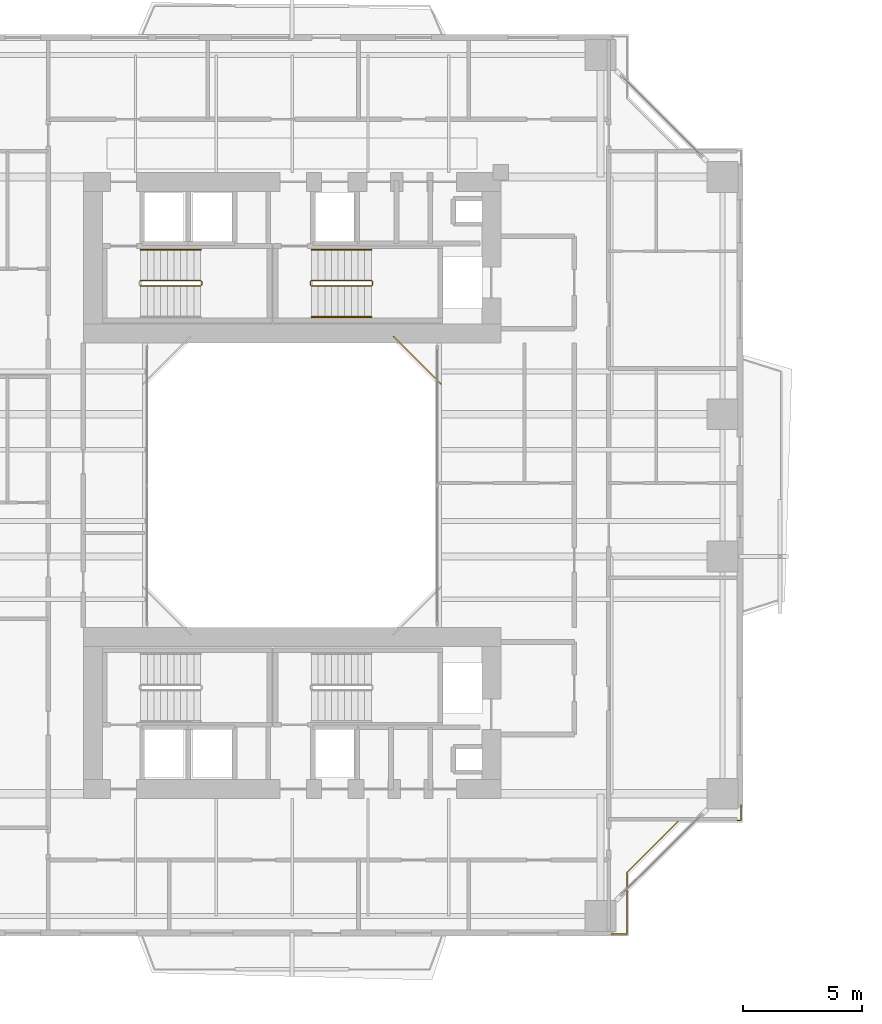
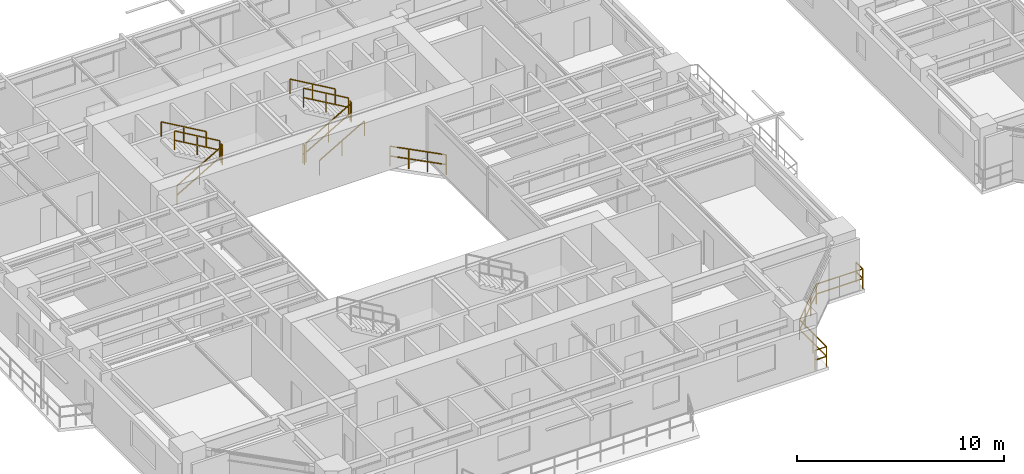
# One storey, part 21 of 24: 12 railings.
"""IFC4 building model written with IfcOpenShell, lengths in metres."""

import ifcopenshell
import ifcopenshell.guid

model = None  # the IFC model being written
_history = None  # IfcOwnerHistory: only IFC2X3 demands one
_inside = {}  # id of a spatial element -> (the spatial element, [elements in it])
_under = {}  # id of a project, library or spatial element -> (it, [spatial elements below it])
_declared = {}  # id of a project -> (the project, [libraries it declares])
_typed = {}  # id of a type object -> (the type object, [elements of that type])
_made_of = {}  # id of a material, layer set ... -> (it, [elements and type objects made of it])


def new_model(schema):
    """Start an empty IFC model of exactly this schema.

    Asked for "IFC4X3", IfcOpenShell would pick the latest addendum, in which some entities
    have other attributes; the version numbers below select the first issue.
    IFC2X3 requires an IfcOwnerHistory on every rooted entity: one is made here for all.
    """
    global model, _history
    if schema == "IFC4X3":
        model = ifcopenshell.file(schema_version=(4, 3, 0, 0))
    else:
        model = ifcopenshell.file(schema=schema)
    _inside.clear()
    _under.clear()
    _declared.clear()
    _typed.clear()
    _made_of.clear()
    _history = None
    if model.schema == "IFC2X3":
        org = make("IfcOrganization", Name="unknown")
        user = make(
            "IfcPersonAndOrganization",
            ThePerson=make("IfcPerson", FamilyName="unknown"),
            TheOrganization=org,
        )
        app = make(
            "IfcApplication",
            ApplicationDeveloper=org,
            Version="unknown",
            ApplicationFullName="unknown",
            ApplicationIdentifier="unknown",
        )
        _history = make(
            "IfcOwnerHistory",
            OwningUser=user,
            OwningApplication=app,
            ChangeAction="ADDED",
            CreationDate=0,
        )
    return model


def make(cls, **values):
    """One entity of the class cls with the attributes given. An attribute that is None is left unset."""
    return model.create_entity(
        cls, **{name: value for name, value in values.items() if value is not None}
    )


def rooted(cls, **values):
    """An entity with a GlobalId (a new one), such as an element, a storey or a relation."""
    return make(cls, GlobalId=ifcopenshell.guid.new(), OwnerHistory=_history, **values)


def si_unit(unit_type, name, prefix=None):
    """IfcSIUnit, for example si_unit("LENGTHUNIT", "METRE", prefix="MILLI")."""
    return make("IfcSIUnit", UnitType=unit_type, Prefix=prefix, Name=name)


def assignment(units):
    """IfcUnitAssignment: the units of a project."""
    return None if units is None else make("IfcUnitAssignment", Units=units)


def point(xyz):
    """IfcCartesianPoint."""
    return None if xyz is None else make("IfcCartesianPoint", Coordinates=xyz)


def direction(xyz):
    """IfcDirection."""
    return None if xyz is None else make("IfcDirection", DirectionRatios=xyz)


def frame(location, z_axis=None, x_axis=None):
    """IfcAxis2Placement3D, a coordinate frame: its origin and axes. An axis left out is left unset."""
    return make(
        "IfcAxis2Placement3D",
        Location=point(location),
        Axis=direction(z_axis),
        RefDirection=direction(x_axis),
    )


def frame_2d(location, x_axis=None):
    """IfcAxis2Placement2D, a coordinate frame in the plane: its origin and x axis."""
    return make(
        "IfcAxis2Placement2D", Location=point(location), RefDirection=direction(x_axis)
    )


def origin():
    """The frame at (0, 0, 0) with its axes left unset."""
    return frame((0.0, 0.0, 0.0))


def origin_2d():
    """The frame at (0, 0) in the plane with its x axis left unset."""
    return frame_2d((0.0, 0.0))


def place(relative_to, where):
    """IfcLocalPlacement: puts the frame where relative to a parent placement (None: the world)."""
    return make(
        "IfcLocalPlacement", PlacementRelTo=relative_to, RelativePlacement=where
    )


def context(
    kind, dimensions, precision=None, world=None, true_north=None, identifier=None
):
    """IfcGeometricRepresentationContext, for example the 3D "Model" context."""
    return make(
        "IfcGeometricRepresentationContext",
        ContextIdentifier=identifier,
        ContextType=kind,
        CoordinateSpaceDimension=dimensions,
        Precision=precision,
        WorldCoordinateSystem=world,
        TrueNorth=true_north,
    )


def subcontext(parent, identifier, kind, view, scale=None):
    """IfcGeometricRepresentationSubContext, for example "Body" below "Model"."""
    return make(
        "IfcGeometricRepresentationSubContext",
        ContextIdentifier=identifier,
        ContextType=kind,
        ParentContext=parent,
        TargetScale=scale,
        TargetView=view,
    )


def project(units=None, contexts=None):
    """IfcProject with its units and contexts."""
    return rooted(
        "IfcProject",
        Name="project",
        RepresentationContexts=contexts,
        UnitsInContext=assignment(units),
    )


def spatial(cls, under=None, at=None, **own):
    """A site, building, storey or space (cls), placed at a placement, below another one or the project."""
    s = rooted(cls, ObjectPlacement=at, **own)
    if under is not None:
        _under.setdefault(under.id(), (under, []))[1].append(s)
    return s


def profile(cls, at=None, kind="AREA", **sizes):
    """A parametric profile (cls). Its sizes go by their IFC names, for example OverallWidth=200.0."""
    return make(cls, ProfileType=kind, Position=at, **sizes)


def rectangle(**sizes):
    """IfcRectangleProfileDef."""
    return profile("IfcRectangleProfileDef", **sizes)


def extrude(swept, where, along, depth):
    """IfcExtrudedAreaSolid: the profile swept, set in the frame where, extruded along a direction by depth."""
    return make(
        "IfcExtrudedAreaSolid",
        SweptArea=swept,
        Position=where,
        ExtrudedDirection=direction(along),
        Depth=depth,
    )


def shape(context_of_items, identifier, shape_type, items):
    """IfcShapeRepresentation: the items that make up one representation, for example the "Body"."""
    return make(
        "IfcShapeRepresentation",
        ContextOfItems=context_of_items,
        RepresentationIdentifier=identifier,
        RepresentationType=shape_type,
        Items=items,
    )


def material(Name=None, Category=None):
    """IfcMaterial."""
    return make("IfcMaterial", Name=Name, Category=Category)


def made_of(thing, what):
    """Note that an element or type object is made of a material, layer set ...; save() writes the relation."""
    if what is not None:
        _made_of.setdefault(what.id(), (what, []))[1].append(thing)
    return thing


def type_object(cls, material=None, **own):
    """A type object (cls), such as IfcWallType, which elements share."""
    return made_of(rooted(cls, **own), material)


def element(
    cls,
    number,
    at=None,
    inside=None,
    cuts=None,
    type_object=None,
    material=None,
    context=None,
    identifier="Body",
    shape_type=None,
    held_by="IfcProductDefinitionShape",
    body=None,
    shapes=None,
    **own,
):
    """One element of the class cls, such as IfcWall. Its Tag is "e" and its number.

    at: its placement. inside: the storey or other place that contains it. cuts: it is an
    opening in that element (IfcRelVoidsElement). A single representation is given by context,
    identifier, shape_type and body (its items); several are given by shapes. held_by: the class
    of the entity that holds the representations. save() writes the other relations.
    """
    e = rooted(cls, Tag="e%d" % number, ObjectPlacement=at, **own)
    if body is not None:
        shapes = [shape(context, identifier, shape_type, body)]
    if shapes is not None:
        e.Representation = make(held_by, Representations=shapes)
    if inside is not None:
        _inside.setdefault(inside.id(), (inside, []))[1].append(e)
    if cuts is not None:
        rooted(
            "IfcRelVoidsElement", RelatingBuildingElement=cuts, RelatedOpeningElement=e
        )
    if type_object is not None:
        _typed.setdefault(type_object.id(), (type_object, []))[1].append(e)
    return made_of(e, material)


def aggregate(whole, parts):
    """IfcRelAggregates: a whole, such as a stair, and the parts it consists of."""
    return rooted("IfcRelAggregates", RelatingObject=whole, RelatedObjects=parts)


def save(model, path):
    """Write the relations noted so far, then the file.

    IfcRelAggregates (storeys below a building ...), IfcRelContainedInSpatialStructure (elements
    in a storey), IfcRelDefinesByType, IfcRelAssociatesMaterial and IfcRelDeclares: one each for
    every whole, place, type object, material and project.
    """
    for whole, parts in _under.values():
        aggregate(whole, parts)
    for where, things in _inside.values():
        rooted(
            "IfcRelContainedInSpatialStructure",
            RelatedElements=things,
            RelatingStructure=where,
        )
    for kind, things in _typed.values():
        rooted("IfcRelDefinesByType", RelatedObjects=things, RelatingType=kind)
    for what, things in _made_of.values():
        rooted("IfcRelAssociatesMaterial", RelatedObjects=things, RelatingMaterial=what)
    for by, libraries in _declared.values():
        rooted("IfcRelDeclares", RelatingContext=by, RelatedDefinitions=libraries)
    model.write(path)


model = new_model("IFC4")

# Units and contexts
model_context = context("Model", 3, precision=1e-05, world=origin(), true_north=direction((0.0, 1.0)))
body_context = subcontext(model_context, "Body", "Model", "MODEL_VIEW")
ifc_project = project(units=[si_unit("LENGTHUNIT", "METRE"), si_unit("AREAUNIT", "SQUARE_METRE"), si_unit("VOLUMEUNIT", "CUBIC_METRE"), si_unit("PLANEANGLEUNIT", "RADIAN"), si_unit("MASSUNIT", "GRAM", prefix="KILO"), si_unit("THERMODYNAMICTEMPERATUREUNIT", "KELVIN"), si_unit("POWERUNIT", "WATT")], contexts=[model_context])

# Site, building, storey
site_placement = place(None, origin())
site = spatial("IfcSite", under=ifc_project, at=site_placement, CompositionType="ELEMENT")
building_placement = place(site_placement, origin())
building = spatial("IfcBuilding", under=site, at=building_placement, Name="Qiaomeng Ring Towers", CompositionType="ELEMENT")
storey_placement = place(building_placement, frame((0.0, 0.0, 42.5)))
storey = spatial("IfcBuildingStorey", under=building, at=storey_placement, Name="L11", CompositionType="ELEMENT", Elevation=42.5)

# Railings
ifc_material_1 = material(Name="Low-E pale-green laminated safety glass", Category="glass")
railing_type_1 = type_object("IfcRailingType", Name="ARC-RL-BAL1", PredefinedType="BALUSTRADE", material=ifc_material_1)
railing_1_placement = place(storey_placement, frame((25.280029296875, 27.280029296875, 0.0)))
element("IfcRailing", 1, at=railing_1_placement, inside=storey, type_object=railing_type_1, Name="L11 Balustrade ARC-BAL-WELL1-L11-2", PredefinedType="BALUSTRADE", context=body_context, shape_type="SweptSolid", body=[
    extrude(rectangle(XDim=0.048095703125, YDim=0.048095703125, at=origin_2d()), frame((0.0, 0.0, 1.17578125), z_axis=(-0.707106781187, 0.707106781187, 0.0), x_axis=(-0.707106781187, -0.707106781187, 0.0)), (0.0, 0.0, 1.0), 2.828369140625),
    extrude(rectangle(XDim=0.048095703125, YDim=0.048095703125, at=origin_2d()), frame((0.0, 0.0, 0.60009765625), z_axis=(-0.707106781187, 0.707106781187, 0.0), x_axis=(-0.707106781187, -0.707106781187, 0.0)), (0.0, 0.0, 1.0), 2.828369140625),
    extrude(rectangle(XDim=0.0419921875, YDim=0.0419921875, at=origin_2d()), origin(), (0.0, 0.0, 1.0), 1.15185546875),
    extrude(rectangle(XDim=0.0419921875, YDim=0.0419921875, at=origin_2d()), frame((-0.666748046875, 0.666748046875, 0.0)), (0.0, 0.0, 1.0), 1.15185546875),
    extrude(rectangle(XDim=0.0419921875, YDim=0.0419921875, at=origin_2d()), frame((-1.333251953125, 1.333251953125, 0.0)), (0.0, 0.0, 1.0), 1.15185546875),
    extrude(rectangle(XDim=0.0419921875, YDim=0.0419921875, at=origin_2d()), frame((-2.0, 2.0, 0.0)), (0.0, 0.0, 1.0), 1.15185546875),
])
railing_2_placement = place(storey_placement, frame((32.469970703125, 4.080078125, 0.0)))
element("IfcRailing", 2, at=railing_2_placement, inside=storey, type_object=railing_type_1, Name="L11 Balustrade ARC-BAL-NOTCH1-L11-SE", PredefinedType="BALUSTRADE", context=body_context, shape_type="SweptSolid", body=[
    extrude(rectangle(XDim=0.048095703125, YDim=0.048095703125, at=origin_2d()), frame((0.0, 0.0, 1.17578125), z_axis=(1.0, 0.0, 0.0), x_axis=(0.0, 1.0, 0.0)), (0.0, 0.0, 1.0), 0.650146484375),
    extrude(rectangle(XDim=0.048095703125, YDim=0.048095703125, at=origin_2d()), frame((0.0, 0.0, 0.60009765625), z_axis=(1.0, 0.0, 0.0), x_axis=(0.0, 1.0, 0.0)), (0.0, 0.0, 1.0), 0.650146484375),
    extrude(rectangle(XDim=0.048095703125, YDim=0.048095703125, at=origin_2d()), frame((0.650146484375, 0.0, 1.17578125), z_axis=(0.0, 1.0, 0.0), x_axis=(-1.0, 0.0, 0.0)), (0.0, 0.0, 1.0), 2.599853515625),
    extrude(rectangle(XDim=0.048095703125, YDim=0.048095703125, at=origin_2d()), frame((0.650146484375, 0.0, 0.60009765625), z_axis=(0.0, 1.0, 0.0), x_axis=(-1.0, 0.0, 0.0)), (0.0, 0.0, 1.0), 2.599853515625),
    extrude(rectangle(XDim=0.048095703125, YDim=0.048095703125, at=origin_2d()), frame((0.650146484375, 2.599853515625, 1.17578125), z_axis=(0.707106781187, 0.707106781187, 0.0), x_axis=(-0.707106781187, 0.707106781187, 0.0)), (0.0, 0.0, 1.0), 3.111083984375),
    extrude(rectangle(XDim=0.048095703125, YDim=0.048095703125, at=origin_2d()), frame((0.650146484375, 2.599853515625, 0.60009765625), z_axis=(0.707106781187, 0.707106781187, 0.0), x_axis=(-0.707106781187, 0.707106781187, 0.0)), (0.0, 0.0, 1.0), 3.111083984375),
    extrude(rectangle(XDim=0.048095703125, YDim=0.048095703125, at=origin_2d()), frame((2.85009765625, 4.7998046875, 1.17578125), z_axis=(1.0, 0.0, 0.0), x_axis=(0.0, 1.0, 0.0)), (0.0, 0.0, 1.0), 2.599853515625),
    extrude(rectangle(XDim=0.048095703125, YDim=0.048095703125, at=origin_2d()), frame((2.85009765625, 4.7998046875, 0.60009765625), z_axis=(1.0, 0.0, 0.0), x_axis=(0.0, 1.0, 0.0)), (0.0, 0.0, 1.0), 2.599853515625),
    extrude(rectangle(XDim=0.048095703125, YDim=0.048095703125, at=origin_2d()), frame((5.449951171875, 4.7998046875, 1.17578125), z_axis=(0.0, 1.0, 0.0), x_axis=(-1.0, 0.0, 0.0)), (0.0, 0.0, 1.0), 0.650146484375),
    extrude(rectangle(XDim=0.048095703125, YDim=0.048095703125, at=origin_2d()), frame((5.449951171875, 4.7998046875, 0.60009765625), z_axis=(0.0, 1.0, 0.0), x_axis=(-1.0, 0.0, 0.0)), (0.0, 0.0, 1.0), 0.650146484375),
    extrude(rectangle(XDim=0.0419921875, YDim=0.0419921875, at=origin_2d()), origin(), (0.0, 0.0, 1.0), 1.15185546875),
    extrude(rectangle(XDim=0.0419921875, YDim=0.0419921875, at=origin_2d()), frame((0.650146484375, 0.0, 0.0)), (0.0, 0.0, 1.0), 1.15185546875),
    extrude(rectangle(XDim=0.0419921875, YDim=0.0419921875, at=origin_2d()), frame((0.650146484375, 1.2998046875, 0.0)), (0.0, 0.0, 1.0), 1.15185546875),
    extrude(rectangle(XDim=0.0419921875, YDim=0.0419921875, at=origin_2d()), frame((0.650146484375, 2.599853515625, 0.0)), (0.0, 0.0, 1.0), 1.15185546875),
    extrude(rectangle(XDim=0.0419921875, YDim=0.0419921875, at=origin_2d()), frame((1.383544921875, 3.333251953125, 0.0)), (0.0, 0.0, 1.0), 1.15185546875),
    extrude(rectangle(XDim=0.0419921875, YDim=0.0419921875, at=origin_2d()), frame((2.11669921875, 4.06640625, 0.0)), (0.0, 0.0, 1.0), 1.15185546875),
    extrude(rectangle(XDim=0.0419921875, YDim=0.0419921875, at=origin_2d()), frame((2.85009765625, 4.7998046875, 0.0)), (0.0, 0.0, 1.0), 1.15185546875),
    extrude(rectangle(XDim=0.0419921875, YDim=0.0419921875, at=origin_2d()), frame((4.14990234375, 4.7998046875, 0.0)), (0.0, 0.0, 1.0), 1.15185546875),
    extrude(rectangle(XDim=0.0419921875, YDim=0.0419921875, at=origin_2d()), frame((5.449951171875, 4.7998046875, 0.0)), (0.0, 0.0, 1.0), 1.15185546875),
    extrude(rectangle(XDim=0.0419921875, YDim=0.0419921875, at=origin_2d()), frame((5.449951171875, 5.449951171875, 0.0)), (0.0, 0.0, 1.0), 1.15185546875),
])
ifc_material_2 = material(Name="Galvanised steel", Category="steel")
railing_type_2 = type_object("IfcRailingType", Name="ARC-RL-GUARD", PredefinedType="GUARDRAIL", material=ifc_material_2)
railing_3_placement = place(storey_placement, frame((12.6201171875, 31.39990234375, 0.16259765625)))
element("IfcRailing", 3, at=railing_3_placement, inside=storey, type_object=railing_type_2, Name="L11 ST1 stair guard 1", PredefinedType="GUARDRAIL", context=body_context, shape_type="SweptSolid", body=[
    extrude(rectangle(XDim=0.048095703125, YDim=0.048095703125, at=origin_2d()), frame((0.0, 0.0, 1.1259765625), z_axis=(0.864892226395, 0.0, 0.501957604506), x_axis=(0.0, 1.0, 0.0)), (0.0, 0.0, 1.0), 2.913330078125),
    extrude(rectangle(XDim=0.048095703125, YDim=0.048095703125, at=origin_2d()), frame((0.0, 0.0, 0.574951171875), z_axis=(0.864892226395, 0.0, 0.501957604506), x_axis=(0.0, 1.0, 0.0)), (0.0, 0.0, 1.0), 2.913330078125),
    extrude(rectangle(XDim=0.0419921875, YDim=0.0419921875, at=origin_2d()), origin(), (0.0, 0.0, 1.0), 1.101806640625),
    extrude(rectangle(XDim=0.0419921875, YDim=0.0419921875, at=origin_2d()), frame((1.259765625, 0.0, 0.731201171875)), (0.0, 0.0, 1.0), 1.101806640625),
    extrude(rectangle(XDim=0.0419921875, YDim=0.0419921875, at=origin_2d()), frame((2.519775390625, 0.0, 1.46240234375)), (0.0, 0.0, 1.0), 1.101806640625),
])
railing_4_placement = place(storey_placement, frame((15.18994140625, 31.449951171875, 1.625)))
element("IfcRailing", 4, at=railing_4_placement, inside=storey, type_object=railing_type_2, Name="L11 ST1 stair guard 2", PredefinedType="GUARDRAIL", context=body_context, shape_type="SweptSolid", body=[
    extrude(rectangle(XDim=0.048095703125, YDim=0.048095703125, at=origin_2d()), frame((0.0, 0.0, 1.1259765625), z_axis=(0.0, 1.0, 0.0), x_axis=(-1.0, 0.0, 0.0)), (0.0, 0.0, 1.0), 0.14013671875),
    extrude(rectangle(XDim=0.048095703125, YDim=0.048095703125, at=origin_2d()), frame((0.0, 0.0, 0.574951171875), z_axis=(0.0, 1.0, 0.0), x_axis=(-1.0, 0.0, 0.0)), (0.0, 0.0, 1.0), 0.14013671875),
    extrude(rectangle(XDim=0.0419921875, YDim=0.0419921875, at=origin_2d()), origin(), (0.0, 0.0, 1.0), 1.101806640625),
    extrude(rectangle(XDim=0.0419921875, YDim=0.0419921875, at=origin_2d()), frame((0.0, 0.14013671875, 0.0)), (0.0, 0.0, 1.0), 1.101806640625),
])
railing_5_placement = place(storey_placement, frame((15.139892578125, 31.639892578125, 1.78759765625)))
element("IfcRailing", 5, at=railing_5_placement, inside=storey, type_object=railing_type_2, Name="L11 ST1 stair guard 3", PredefinedType="GUARDRAIL", context=body_context, shape_type="SweptSolid", body=[
    extrude(rectangle(XDim=0.048095703125, YDim=0.048095703125, at=origin_2d()), frame((0.0, 0.0, 1.1259765625), z_axis=(-0.864892226395, 0.0, 0.501957604506), x_axis=(0.0, -1.0, 0.0)), (0.0, 0.0, 1.0), 2.913330078125),
    extrude(rectangle(XDim=0.048095703125, YDim=0.048095703125, at=origin_2d()), frame((0.0, 0.0, 0.574951171875), z_axis=(-0.864892226395, 0.0, 0.501957604506), x_axis=(0.0, -1.0, 0.0)), (0.0, 0.0, 1.0), 2.913330078125),
    extrude(rectangle(XDim=0.0419921875, YDim=0.0419921875, at=origin_2d()), origin(), (0.0, 0.0, 1.0), 1.101806640625),
    extrude(rectangle(XDim=0.0419921875, YDim=0.0419921875, at=origin_2d()), frame((-1.259765625, 0.0, 0.731201171875)), (0.0, 0.0, 1.0), 1.101806640625),
    extrude(rectangle(XDim=0.0419921875, YDim=0.0419921875, at=origin_2d()), frame((-2.519775390625, 0.0, 1.46240234375)), (0.0, 0.0, 1.0), 1.101806640625),
])
railing_6_placement = place(storey_placement, frame((19.820068359375, 31.39990234375, 0.16259765625)))
element("IfcRailing", 6, at=railing_6_placement, inside=storey, type_object=railing_type_2, Name="L11 ST2 stair guard 1", PredefinedType="GUARDRAIL", context=body_context, shape_type="SweptSolid", body=[
    extrude(rectangle(XDim=0.048095703125, YDim=0.048095703125, at=origin_2d()), frame((0.0, 0.0, 1.1259765625), z_axis=(0.864913338283, 0.0, 0.50192122615), x_axis=(0.0, 1.0, 0.0)), (0.0, 0.0, 1.0), 2.91357421875),
    extrude(rectangle(XDim=0.048095703125, YDim=0.048095703125, at=origin_2d()), frame((0.0, 0.0, 0.574951171875), z_axis=(0.864913338283, 0.0, 0.50192122615), x_axis=(0.0, 1.0, 0.0)), (0.0, 0.0, 1.0), 2.91357421875),
    extrude(rectangle(XDim=0.0419921875, YDim=0.0419921875, at=origin_2d()), origin(), (0.0, 0.0, 1.0), 1.101806640625),
    extrude(rectangle(XDim=0.0419921875, YDim=0.0419921875, at=origin_2d()), frame((1.260009765625, 0.0, 0.731201171875)), (0.0, 0.0, 1.0), 1.101806640625),
    extrude(rectangle(XDim=0.0419921875, YDim=0.0419921875, at=origin_2d()), frame((2.52001953125, 0.0, 1.46240234375)), (0.0, 0.0, 1.0), 1.101806640625),
])
railing_7_placement = place(storey_placement, frame((22.389892578125, 31.449951171875, 1.625)))
element("IfcRailing", 7, at=railing_7_placement, inside=storey, type_object=railing_type_2, Name="L11 ST2 stair guard 2", PredefinedType="GUARDRAIL", context=body_context, shape_type="SweptSolid", body=[
    extrude(rectangle(XDim=0.048095703125, YDim=0.048095703125, at=origin_2d()), frame((0.0, 0.0, 1.1259765625), z_axis=(0.0, 1.0, 0.0), x_axis=(-1.0, 0.0, 0.0)), (0.0, 0.0, 1.0), 0.14013671875),
    extrude(rectangle(XDim=0.048095703125, YDim=0.048095703125, at=origin_2d()), frame((0.0, 0.0, 0.574951171875), z_axis=(0.0, 1.0, 0.0), x_axis=(-1.0, 0.0, 0.0)), (0.0, 0.0, 1.0), 0.14013671875),
    extrude(rectangle(XDim=0.0419921875, YDim=0.0419921875, at=origin_2d()), origin(), (0.0, 0.0, 1.0), 1.101806640625),
    extrude(rectangle(XDim=0.0419921875, YDim=0.0419921875, at=origin_2d()), frame((0.0, 0.14013671875, 0.0)), (0.0, 0.0, 1.0), 1.101806640625),
])
railing_8_placement = place(storey_placement, frame((22.340087890625, 31.639892578125, 1.78759765625)))
element("IfcRailing", 8, at=railing_8_placement, inside=storey, type_object=railing_type_2, Name="L11 ST2 stair guard 3", PredefinedType="GUARDRAIL", context=body_context, shape_type="SweptSolid", body=[
    extrude(rectangle(XDim=0.048095703125, YDim=0.048095703125, at=origin_2d()), frame((0.0, 0.0, 1.1259765625), z_axis=(-0.864913338283, 0.0, 0.50192122615), x_axis=(0.0, -1.0, 0.0)), (0.0, 0.0, 1.0), 2.91357421875),
    extrude(rectangle(XDim=0.048095703125, YDim=0.048095703125, at=origin_2d()), frame((0.0, 0.0, 0.574951171875), z_axis=(-0.864913338283, 0.0, 0.50192122615), x_axis=(0.0, -1.0, 0.0)), (0.0, 0.0, 1.0), 2.91357421875),
    extrude(rectangle(XDim=0.0419921875, YDim=0.0419921875, at=origin_2d()), origin(), (0.0, 0.0, 1.0), 1.101806640625),
    extrude(rectangle(XDim=0.0419921875, YDim=0.0419921875, at=origin_2d()), frame((-1.260009765625, 0.0, 0.731201171875)), (0.0, 0.0, 1.0), 1.101806640625),
    extrude(rectangle(XDim=0.0419921875, YDim=0.0419921875, at=origin_2d()), frame((-2.52001953125, 0.0, 1.46240234375)), (0.0, 0.0, 1.0), 1.101806640625),
])
railing_9_placement = place(storey_placement, frame((19.77001953125, 31.449951171875, 0.0)))
element("IfcRailing", 9, at=railing_9_placement, inside=storey, type_object=railing_type_2, Name="L11 ST2 stair guard 4", PredefinedType="GUARDRAIL", context=body_context, shape_type="SweptSolid", body=[
    extrude(rectangle(XDim=0.048095703125, YDim=0.048095703125, at=origin_2d()), frame((0.0, 0.0, 1.1259765625), z_axis=(0.0, 1.0, 0.0), x_axis=(-1.0, 0.0, 0.0)), (0.0, 0.0, 1.0), 0.14013671875),
    extrude(rectangle(XDim=0.048095703125, YDim=0.048095703125, at=origin_2d()), frame((0.0, 0.0, 0.574951171875), z_axis=(0.0, 1.0, 0.0), x_axis=(-1.0, 0.0, 0.0)), (0.0, 0.0, 1.0), 0.14013671875),
    extrude(rectangle(XDim=0.0419921875, YDim=0.0419921875, at=origin_2d()), origin(), (0.0, 0.0, 1.0), 1.101806640625),
    extrude(rectangle(XDim=0.0419921875, YDim=0.0419921875, at=origin_2d()), frame((0.0, 0.14013671875, 0.0)), (0.0, 0.0, 1.0), 1.101806640625),
])
ifc_material_3 = material(Name="Stainless steel 316", Category="steel")
railing_type_3 = type_object("IfcRailingType", Name="ARC-RL-HAND", PredefinedType="HANDRAIL", material=ifc_material_3)
railing_10_placement = place(storey_placement, frame((15.139892578125, 32.93994140625, 1.78759765625)))
element("IfcRailing", 10, at=railing_10_placement, inside=storey, type_object=railing_type_3, Name="L11 ST1 stair handrail 2", PredefinedType="HANDRAIL", context=body_context, shape_type="SweptSolid", body=[
    extrude(rectangle(XDim=0.048095703125, YDim=0.048095703125, at=origin_2d()), frame((0.0, 0.0, 0.8759765625), z_axis=(-0.864892226395, 0.0, 0.501957604506), x_axis=(0.0, -1.0, 0.0)), (0.0, 0.0, 1.0), 2.913330078125),
    extrude(rectangle(XDim=0.0419921875, YDim=0.0419921875, at=origin_2d()), origin(), (0.0, 0.0, 1.0), 0.851806640625),
    extrude(rectangle(XDim=0.0419921875, YDim=0.0419921875, at=origin_2d()), frame((-1.259765625, 0.0, 0.731201171875)), (0.0, 0.0, 1.0), 0.851806640625),
    extrude(rectangle(XDim=0.0419921875, YDim=0.0419921875, at=origin_2d()), frame((-2.519775390625, 0.0, 1.46240234375)), (0.0, 0.0, 1.0), 0.851806640625),
])
railing_11_placement = place(storey_placement, frame((19.820068359375, 30.10009765625, 0.16259765625)))
element("IfcRailing", 11, at=railing_11_placement, inside=storey, type_object=railing_type_3, Name="L11 ST2 stair handrail 1", PredefinedType="HANDRAIL", context=body_context, shape_type="SweptSolid", body=[
    extrude(rectangle(XDim=0.048095703125, YDim=0.048095703125, at=origin_2d()), frame((0.0, 0.0, 0.8759765625), z_axis=(0.864913338283, 0.0, 0.50192122615), x_axis=(0.0, 1.0, 0.0)), (0.0, 0.0, 1.0), 2.91357421875),
    extrude(rectangle(XDim=0.0419921875, YDim=0.0419921875, at=origin_2d()), origin(), (0.0, 0.0, 1.0), 0.851806640625),
    extrude(rectangle(XDim=0.0419921875, YDim=0.0419921875, at=origin_2d()), frame((1.260009765625, 0.0, 0.731201171875)), (0.0, 0.0, 1.0), 0.851806640625),
    extrude(rectangle(XDim=0.0419921875, YDim=0.0419921875, at=origin_2d()), frame((2.52001953125, 0.0, 1.46240234375)), (0.0, 0.0, 1.0), 0.851806640625),
])
railing_12_placement = place(storey_placement, frame((22.340087890625, 32.93994140625, 1.78759765625)))
element("IfcRailing", 12, at=railing_12_placement, inside=storey, type_object=railing_type_3, Name="L11 ST2 stair handrail 2", PredefinedType="HANDRAIL", context=body_context, shape_type="SweptSolid", body=[
    extrude(rectangle(XDim=0.048095703125, YDim=0.048095703125, at=origin_2d()), frame((0.0, 0.0, 0.8759765625), z_axis=(-0.864913338283, 0.0, 0.50192122615), x_axis=(0.0, -1.0, 0.0)), (0.0, 0.0, 1.0), 2.91357421875),
    extrude(rectangle(XDim=0.0419921875, YDim=0.0419921875, at=origin_2d()), origin(), (0.0, 0.0, 1.0), 0.851806640625),
    extrude(rectangle(XDim=0.0419921875, YDim=0.0419921875, at=origin_2d()), frame((-1.260009765625, 0.0, 0.731201171875)), (0.0, 0.0, 1.0), 0.851806640625),
    extrude(rectangle(XDim=0.0419921875, YDim=0.0419921875, at=origin_2d()), frame((-2.52001953125, 0.0, 1.46240234375)), (0.0, 0.0, 1.0), 0.851806640625),
])

save(model, "model.ifc")
